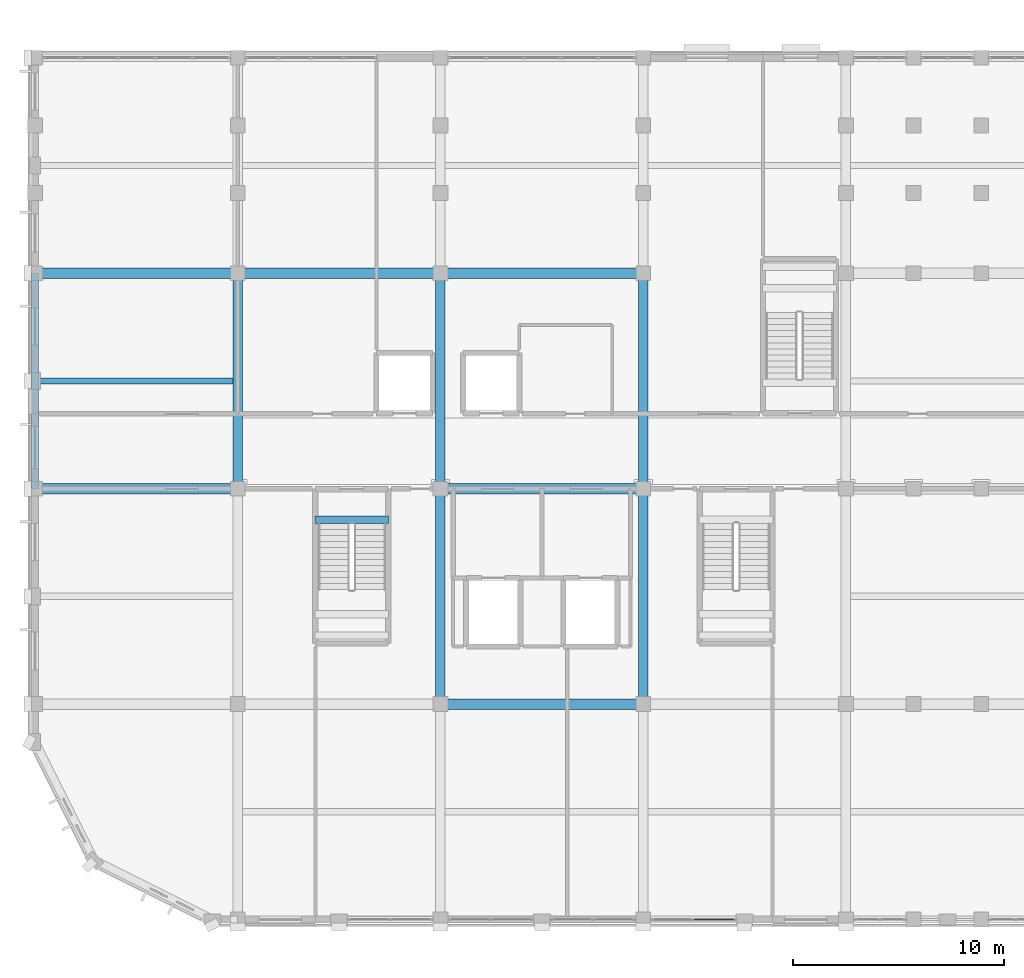
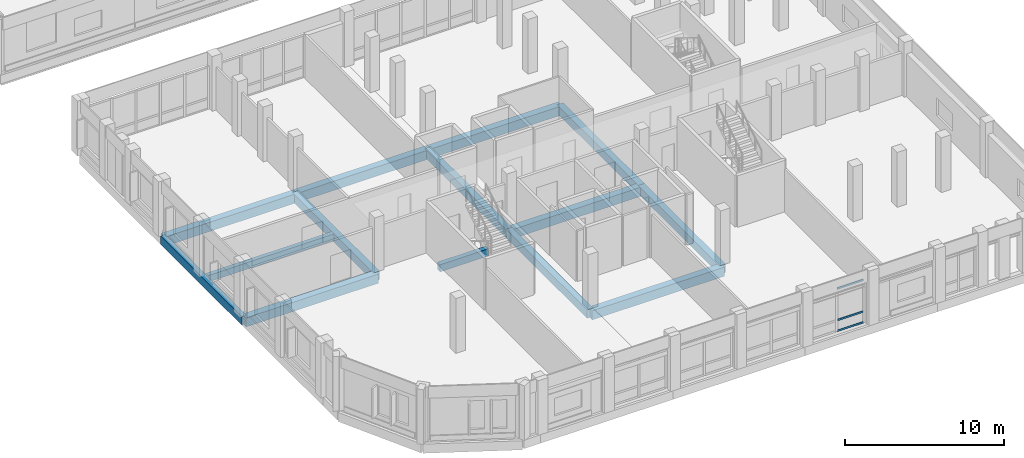
# One storey, part 24 of 185: 14 beams, 3 members, 1 element without a shape of its own.
"""IFC4 building model written with IfcOpenShell, lengths in metres."""

import ifcopenshell
import ifcopenshell.guid

model = None  # the IFC model being written
_history = None  # IfcOwnerHistory: only IFC2X3 demands one
_inside = {}  # id of a spatial element -> (the spatial element, [elements in it])
_under = {}  # id of a project, library or spatial element -> (it, [spatial elements below it])
_declared = {}  # id of a project -> (the project, [libraries it declares])
_typed = {}  # id of a type object -> (the type object, [elements of that type])
_made_of = {}  # id of a material, layer set ... -> (it, [elements and type objects made of it])


def new_model(schema):
    """Start an empty IFC model of exactly this schema.

    Asked for "IFC4X3", IfcOpenShell would pick the latest addendum, in which some entities
    have other attributes; the version numbers below select the first issue.
    IFC2X3 requires an IfcOwnerHistory on every rooted entity: one is made here for all.
    """
    global model, _history
    if schema == "IFC4X3":
        model = ifcopenshell.file(schema_version=(4, 3, 0, 0))
    else:
        model = ifcopenshell.file(schema=schema)
    _inside.clear()
    _under.clear()
    _declared.clear()
    _typed.clear()
    _made_of.clear()
    _history = None
    if model.schema == "IFC2X3":
        org = make("IfcOrganization", Name="unknown")
        user = make(
            "IfcPersonAndOrganization",
            ThePerson=make("IfcPerson", FamilyName="unknown"),
            TheOrganization=org,
        )
        app = make(
            "IfcApplication",
            ApplicationDeveloper=org,
            Version="unknown",
            ApplicationFullName="unknown",
            ApplicationIdentifier="unknown",
        )
        _history = make(
            "IfcOwnerHistory",
            OwningUser=user,
            OwningApplication=app,
            ChangeAction="ADDED",
            CreationDate=0,
        )
    return model


def make(cls, **values):
    """One entity of the class cls with the attributes given. An attribute that is None is left unset."""
    return model.create_entity(
        cls, **{name: value for name, value in values.items() if value is not None}
    )


def rooted(cls, **values):
    """An entity with a GlobalId (a new one), such as an element, a storey or a relation."""
    return make(cls, GlobalId=ifcopenshell.guid.new(), OwnerHistory=_history, **values)


def si_unit(unit_type, name, prefix=None):
    """IfcSIUnit, for example si_unit("LENGTHUNIT", "METRE", prefix="MILLI")."""
    return make("IfcSIUnit", UnitType=unit_type, Prefix=prefix, Name=name)


def assignment(units):
    """IfcUnitAssignment: the units of a project."""
    return None if units is None else make("IfcUnitAssignment", Units=units)


def point(xyz):
    """IfcCartesianPoint."""
    return None if xyz is None else make("IfcCartesianPoint", Coordinates=xyz)


def direction(xyz):
    """IfcDirection."""
    return None if xyz is None else make("IfcDirection", DirectionRatios=xyz)


def frame(location, z_axis=None, x_axis=None):
    """IfcAxis2Placement3D, a coordinate frame: its origin and axes. An axis left out is left unset."""
    return make(
        "IfcAxis2Placement3D",
        Location=point(location),
        Axis=direction(z_axis),
        RefDirection=direction(x_axis),
    )


def frame_2d(location, x_axis=None):
    """IfcAxis2Placement2D, a coordinate frame in the plane: its origin and x axis."""
    return make(
        "IfcAxis2Placement2D", Location=point(location), RefDirection=direction(x_axis)
    )


def origin():
    """The frame at (0, 0, 0) with its axes left unset."""
    return frame((0.0, 0.0, 0.0))


def origin_2d():
    """The frame at (0, 0) in the plane with its x axis left unset."""
    return frame_2d((0.0, 0.0))


def place(relative_to, where):
    """IfcLocalPlacement: puts the frame where relative to a parent placement (None: the world)."""
    return make(
        "IfcLocalPlacement", PlacementRelTo=relative_to, RelativePlacement=where
    )


def context(
    kind, dimensions, precision=None, world=None, true_north=None, identifier=None
):
    """IfcGeometricRepresentationContext, for example the 3D "Model" context."""
    return make(
        "IfcGeometricRepresentationContext",
        ContextIdentifier=identifier,
        ContextType=kind,
        CoordinateSpaceDimension=dimensions,
        Precision=precision,
        WorldCoordinateSystem=world,
        TrueNorth=true_north,
    )


def subcontext(parent, identifier, kind, view, scale=None):
    """IfcGeometricRepresentationSubContext, for example "Body" below "Model"."""
    return make(
        "IfcGeometricRepresentationSubContext",
        ContextIdentifier=identifier,
        ContextType=kind,
        ParentContext=parent,
        TargetScale=scale,
        TargetView=view,
    )


def project(units=None, contexts=None):
    """IfcProject with its units and contexts."""
    return rooted(
        "IfcProject",
        Name="project",
        RepresentationContexts=contexts,
        UnitsInContext=assignment(units),
    )


def spatial(cls, under=None, at=None, **own):
    """A site, building, storey or space (cls), placed at a placement, below another one or the project."""
    s = rooted(cls, ObjectPlacement=at, **own)
    if under is not None:
        _under.setdefault(under.id(), (under, []))[1].append(s)
    return s


def profile(cls, at=None, kind="AREA", **sizes):
    """A parametric profile (cls). Its sizes go by their IFC names, for example OverallWidth=200.0."""
    return make(cls, ProfileType=kind, Position=at, **sizes)


def rectangle(**sizes):
    """IfcRectangleProfileDef."""
    return profile("IfcRectangleProfileDef", **sizes)


def hollow_rectangle(**sizes):
    """IfcRectangleHollowProfileDef."""
    return profile("IfcRectangleHollowProfileDef", **sizes)


def extrude(swept, where, along, depth):
    """IfcExtrudedAreaSolid: the profile swept, set in the frame where, extruded along a direction by depth."""
    return make(
        "IfcExtrudedAreaSolid",
        SweptArea=swept,
        Position=where,
        ExtrudedDirection=direction(along),
        Depth=depth,
    )


def shape(context_of_items, identifier, shape_type, items):
    """IfcShapeRepresentation: the items that make up one representation, for example the "Body"."""
    return make(
        "IfcShapeRepresentation",
        ContextOfItems=context_of_items,
        RepresentationIdentifier=identifier,
        RepresentationType=shape_type,
        Items=items,
    )


def material(Name=None, Category=None):
    """IfcMaterial."""
    return make("IfcMaterial", Name=Name, Category=Category)


def material_profile(
    of_material, cross_section, Name=None, Category=None, Priority=None
):
    """IfcMaterialProfile: a cross section and its material."""
    return make(
        "IfcMaterialProfile",
        Name=Name,
        Material=of_material,
        Profile=cross_section,
        Priority=Priority,
        Category=Category,
    )


def profile_set(profiles, Name=None, composite=None):
    """IfcMaterialProfileSet."""
    return make(
        "IfcMaterialProfileSet",
        Name=Name,
        MaterialProfiles=profiles,
        CompositeProfile=composite,
    )


def made_of(thing, what):
    """Note that an element or type object is made of a material, layer set ...; save() writes the relation."""
    if what is not None:
        _made_of.setdefault(what.id(), (what, []))[1].append(thing)
    return thing


def type_object(cls, material=None, **own):
    """A type object (cls), such as IfcWallType, which elements share."""
    return made_of(rooted(cls, **own), material)


def element(
    cls,
    number,
    at=None,
    inside=None,
    cuts=None,
    type_object=None,
    material=None,
    context=None,
    identifier="Body",
    shape_type=None,
    held_by="IfcProductDefinitionShape",
    body=None,
    shapes=None,
    **own,
):
    """One element of the class cls, such as IfcWall. Its Tag is "e" and its number.

    at: its placement. inside: the storey or other place that contains it. cuts: it is an
    opening in that element (IfcRelVoidsElement). A single representation is given by context,
    identifier, shape_type and body (its items); several are given by shapes. held_by: the class
    of the entity that holds the representations. save() writes the other relations.
    """
    e = rooted(cls, Tag="e%d" % number, ObjectPlacement=at, **own)
    if body is not None:
        shapes = [shape(context, identifier, shape_type, body)]
    if shapes is not None:
        e.Representation = make(held_by, Representations=shapes)
    if inside is not None:
        _inside.setdefault(inside.id(), (inside, []))[1].append(e)
    if cuts is not None:
        rooted(
            "IfcRelVoidsElement", RelatingBuildingElement=cuts, RelatedOpeningElement=e
        )
    if type_object is not None:
        _typed.setdefault(type_object.id(), (type_object, []))[1].append(e)
    return made_of(e, material)


def aggregate(whole, parts):
    """IfcRelAggregates: a whole, such as a stair, and the parts it consists of."""
    return rooted("IfcRelAggregates", RelatingObject=whole, RelatedObjects=parts)


def save(model, path):
    """Write the relations noted so far, then the file.

    IfcRelAggregates (storeys below a building ...), IfcRelContainedInSpatialStructure (elements
    in a storey), IfcRelDefinesByType, IfcRelAssociatesMaterial and IfcRelDeclares: one each for
    every whole, place, type object, material and project.
    """
    for whole, parts in _under.values():
        aggregate(whole, parts)
    for where, things in _inside.values():
        rooted(
            "IfcRelContainedInSpatialStructure",
            RelatedElements=things,
            RelatingStructure=where,
        )
    for kind, things in _typed.values():
        rooted("IfcRelDefinesByType", RelatedObjects=things, RelatingType=kind)
    for what, things in _made_of.values():
        rooted("IfcRelAssociatesMaterial", RelatedObjects=things, RelatingMaterial=what)
    for by, libraries in _declared.values():
        rooted("IfcRelDeclares", RelatingContext=by, RelatedDefinitions=libraries)
    model.write(path)


model = new_model("IFC4")

# Units and contexts
model_context = context("Model", 3, precision=1e-05, world=origin(), true_north=direction((0.0, 1.0)))
body_context = subcontext(model_context, "Body", "Model", "MODEL_VIEW")
ifc_project = project(units=[si_unit("LENGTHUNIT", "METRE"), si_unit("AREAUNIT", "SQUARE_METRE"), si_unit("VOLUMEUNIT", "CUBIC_METRE"), si_unit("PLANEANGLEUNIT", "RADIAN"), si_unit("MASSUNIT", "GRAM", prefix="KILO")], contexts=[model_context])

# Site, building, storey
site_placement = place(None, origin())
site = spatial("IfcSite", under=ifc_project, at=site_placement, CompositionType="ELEMENT")
building_placement = place(site_placement, origin())
building = spatial("IfcBuilding", under=site, at=building_placement, Name="Vondelvale Polytechnic", CompositionType="ELEMENT")
storey_placement = place(building_placement, frame((0.0, 0.0, 9.60009765625)))
storey = spatial("IfcBuildingStorey", under=building, at=storey_placement, Name="L02", CompositionType="ELEMENT", Elevation=9.60009765625)

# Beams
ifc_material_1 = material(Name="Concrete N40 (f'c = 40 MPa)", Category="concrete")
ifc_material_profile_1 = material_profile(ifc_material_1, rectangle(XDim=0.35009765625, YDim=0.550048828125, at=origin_2d()), Name="RC-BM-350x550")
ifc_profile_set_1 = profile_set([ifc_material_profile_1], Name="Concrete N40 (f'c = 40 MPa)")
beam_type_1 = type_object("IfcBeamType", Name="BM-RC350x550", PredefinedType="BEAM", material=ifc_profile_set_1)
beam_1_placement = place(storey_placement, frame((13.25, 18.925048828125, -0.275146484375), z_axis=(1.0, 0.0, 0.0), x_axis=(0.0, 1.0, 0.0)))
element("IfcBeam", 1, at=beam_1_placement, inside=storey, type_object=beam_type_1, Name="L02 STHD B-06", PredefinedType="BEAM", context=body_context, shape_type="SweptSolid", body=[
    extrude(rectangle(XDim=0.35009765625, YDim=0.550048828125, at=origin_2d()), origin(), (0.0, 0.0, 1.0), 3.5),
])
ifc_material_profile_2 = material_profile(ifc_material_1, rectangle(XDim=0.449951171875, YDim=0.64990234375, at=origin_2d()), Name="RC-BM-450x650")
ifc_profile_set_2 = profile_set([ifc_material_profile_2], Name="Concrete N40 (f'c = 40 MPa)")
beam_type_2 = type_object("IfcBeamType", Name="BM-RC450x650", PredefinedType="BEAM", material=ifc_profile_set_2)
beam_2_placement = place(storey_placement, frame((9.60009765625, 20.39990234375, -0.60498046875), z_axis=(0.0, 1.0, 0.0), x_axis=(-1.0, 0.0, 0.0)))
element("IfcBeam", 2, at=beam_2_placement, inside=storey, type_object=beam_type_2, Name="L02 B B-04", PredefinedType="BEAM", context=body_context, shape_type="SweptSolid", body=[
    extrude(rectangle(XDim=0.449951171875, YDim=0.64990234375, at=origin_2d()), origin(), (0.0, 0.0, 1.0), 10.2001953125),
])
beam_3_placement = place(storey_placement, frame((19.199951171875, 10.199951171875, -0.60498046875), z_axis=(0.0, 1.0, 0.0), x_axis=(-1.0, 0.0, 0.0)))
element("IfcBeam", 3, at=beam_3_placement, inside=storey, type_object=beam_type_2, Name="L02 B B-04", PredefinedType="BEAM", context=body_context, shape_type="SweptSolid", body=[
    extrude(rectangle(XDim=0.449951171875, YDim=0.64990234375, at=origin_2d()), origin(), (0.0, 0.0, 1.0), 10.199951171875),
])
beam_4_placement = place(storey_placement, frame((19.199951171875, 20.39990234375, -0.60498046875), z_axis=(0.0, 1.0, 0.0), x_axis=(-1.0, 0.0, 0.0)))
element("IfcBeam", 4, at=beam_4_placement, inside=storey, type_object=beam_type_2, Name="L02 B B-04", PredefinedType="BEAM", context=body_context, shape_type="SweptSolid", body=[
    extrude(rectangle(XDim=0.449951171875, YDim=0.64990234375, at=origin_2d()), origin(), (0.0, 0.0, 1.0), 10.2001953125),
])
beam_5_placement = place(storey_placement, frame((28.800048828125, 10.199951171875, -0.60498046875), z_axis=(0.0, 1.0, 0.0), x_axis=(-1.0, 0.0, 0.0)))
element("IfcBeam", 5, at=beam_5_placement, inside=storey, type_object=beam_type_2, Name="L02 B B-04", PredefinedType="BEAM", context=body_context, shape_type="SweptSolid", body=[
    extrude(rectangle(XDim=0.449951171875, YDim=0.64990234375, at=origin_2d()), origin(), (0.0, 0.0, 1.0), 10.199951171875),
])
beam_6_placement = place(storey_placement, frame((28.800048828125, 20.39990234375, -0.60498046875), z_axis=(0.0, 1.0, 0.0), x_axis=(-1.0, 0.0, 0.0)))
element("IfcBeam", 6, at=beam_6_placement, inside=storey, type_object=beam_type_2, Name="L02 B B-04", PredefinedType="BEAM", context=body_context, shape_type="SweptSolid", body=[
    extrude(rectangle(XDim=0.449951171875, YDim=0.64990234375, at=origin_2d()), origin(), (0.0, 0.0, 1.0), 10.2001953125),
])
ifc_material_profile_3 = material_profile(ifc_material_1, rectangle(XDim=0.5, YDim=0.699951171875, at=origin_2d()), Name="RC-BM-500x700")
ifc_profile_set_3 = profile_set([ifc_material_profile_3], Name="Concrete N40 (f'c = 40 MPa)")
beam_type_3 = type_object("IfcBeamType", Name="BM-RC500x700", PredefinedType="BEAM", material=ifc_profile_set_3)
for number, where, z_axis, x_axis, name in (
    (7, (19.199951171875, 10.199951171875, -0.630126953125), (1.0, 0.0, 0.0), (0.0, 1.0, 0.0), "L02 B B-03"),
    (8, (0.0, 20.39990234375, -0.630126953125), (1.0, 0.0, 0.0), (0.0, 1.0, 0.0), "L02 B B-03"),
    (9, (19.199951171875, 20.39990234375, -0.630126953125), (1.0, 0.0, 0.0), (0.0, 1.0, 0.0), "L02 B B-03"),
    (10, (0.0, 30.60009765625, -0.630126953125), (1.0, 0.0, 0.0), (0.0, 1.0, 0.0), "L02 B B-03"),
):
    element("IfcBeam", number, at=place(storey_placement, frame(where, z_axis=z_axis, x_axis=x_axis)), inside=storey, type_object=beam_type_3, Name=name, PredefinedType="BEAM", context=body_context, shape_type="SweptSolid", body=[
        extrude(rectangle(XDim=0.5, YDim=0.699951171875, at=origin_2d()), origin(), (0.0, 0.0, 1.0), 9.60009765625),
    ])
beam_7_placement = place(storey_placement, frame((9.60009765625, 30.60009765625, -0.630126953125), z_axis=(1.0, 0.0, 0.0), x_axis=(0.0, 1.0, 0.0)))
element("IfcBeam", 11, at=beam_7_placement, inside=storey, type_object=beam_type_3, Name="L02 B B-03", PredefinedType="BEAM", context=body_context, shape_type="SweptSolid", body=[
    extrude(rectangle(XDim=0.5, YDim=0.699951171875, at=origin_2d()), origin(), (0.0, 0.0, 1.0), 9.599853515625),
])
beam_8_placement = place(storey_placement, frame((19.199951171875, 30.60009765625, -0.630126953125), z_axis=(1.0, 0.0, 0.0), x_axis=(0.0, 1.0, 0.0)))
element("IfcBeam", 12, at=beam_8_placement, inside=storey, type_object=beam_type_3, Name="L02 B B-03", PredefinedType="BEAM", context=body_context, shape_type="SweptSolid", body=[
    extrude(rectangle(XDim=0.5, YDim=0.699951171875, at=origin_2d()), origin(), (0.0, 0.0, 1.0), 9.60009765625),
])

# Curtain wall, members
ifc_material_2 = material(Name="Anodised extruded aluminium 6063-T6", Category="aluminium")
curtain_wall_type = type_object("IfcCurtainWallType", Name="CW-LIBRARY-BAY", PredefinedType="NOTDEFINED", material=ifc_material_2)
curtain_wall_placement = place(storey_placement, origin())
curtain_wall = element("IfcCurtainWall", 13, at=curtain_wall_placement, inside=storey, type_object=curtain_wall_type, Name="L02 architectural curtain wall CW-02-016", PredefinedType="NOTDEFINED")
ifc_material_profile_4 = material_profile(ifc_material_2, hollow_rectangle(XDim=0.06005859375, YDim=0.139892578125, WallThickness=0.00341796875, at=origin_2d()), Name="CW-TRN-140x60")
ifc_profile_set_4 = profile_set([ifc_material_profile_4], Name="Anodised extruded aluminium 6063-T6")
member_type = type_object("IfcMemberType", Name="CW-TRN-60x140", PredefinedType="USERDEFINED", material=ifc_profile_set_4)
member_1_placement = place(storey_placement, frame((31.20751953125, 0.0, 0.02978515625), z_axis=(1.0, 0.0, 0.0), x_axis=(0.0, 1.0, 0.0)))
member_1 = element("IfcMember", 14, at=member_1_placement, type_object=member_type, Name="CW-02-016 transom 2.1", ObjectType="TRANSOM", PredefinedType="USERDEFINED", context=body_context, shape_type="SweptSolid", body=[
    extrude(hollow_rectangle(XDim=0.06005859375, YDim=0.139892578125, WallThickness=0.00341796875, at=origin_2d()), origin(), (0.0, 0.0, 1.0), 1.8974609375),
])
member_2_placement = place(storey_placement, frame((31.20751953125, 0.0, 0.849853515625), z_axis=(1.0, 0.0, 0.0), x_axis=(0.0, 1.0, 0.0)))
member_2 = element("IfcMember", 15, at=member_2_placement, type_object=member_type, Name="CW-02-016 transom 2.2", ObjectType="TRANSOM", PredefinedType="USERDEFINED", context=body_context, shape_type="SweptSolid", body=[
    extrude(hollow_rectangle(XDim=0.06005859375, YDim=0.139892578125, WallThickness=0.00341796875, at=origin_2d()), origin(), (0.0, 0.0, 1.0), 1.8974609375),
])
member_3_placement = place(storey_placement, frame((31.20751953125, 0.0, 3.27001953125), z_axis=(1.0, 0.0, 0.0), x_axis=(0.0, 1.0, 0.0)))
member_3 = element("IfcMember", 16, at=member_3_placement, type_object=member_type, Name="CW-02-016 transom 2.3", ObjectType="TRANSOM", PredefinedType="USERDEFINED", context=body_context, shape_type="SweptSolid", body=[
    extrude(hollow_rectangle(XDim=0.06005859375, YDim=0.139892578125, WallThickness=0.00341796875, at=origin_2d()), origin(), (0.0, 0.0, 1.0), 1.8974609375),
])
aggregate(curtain_wall, [member_1, member_2, member_3])

# Beams
ifc_material_profile_5 = material_profile(ifc_material_1, rectangle(XDim=0.300048828125, YDim=0.5, at=origin_2d()), Name="RC-JST-300x500")
ifc_profile_set_5 = profile_set([ifc_material_profile_5], Name="Concrete N40 (f'c = 40 MPa)")
beam_type_4 = type_object("IfcBeamType", Name="JST-RC300x500", PredefinedType="JOIST", material=ifc_profile_set_5)
beam_9_placement = place(storey_placement, frame((0.175048828125, 25.5, -0.530029296875), z_axis=(1.0, 0.0, 0.0), x_axis=(0.0, 1.0, 0.0)))
element("IfcBeam", 17, at=beam_9_placement, inside=storey, type_object=beam_type_4, Name="L02 J J-02", PredefinedType="JOIST", context=body_context, shape_type="SweptSolid", body=[
    extrude(rectangle(XDim=0.300048828125, YDim=0.5, at=origin_2d()), origin(), (0.0, 0.0, 1.0), 9.199951171875),
])
ifc_material_3 = material(Name="Precast concrete N40 (f'c = 40 MPa)", Category="concrete")
ifc_material_profile_6 = material_profile(ifc_material_3, rectangle(XDim=0.35009765625, YDim=0.64990234375, at=origin_2d()), Name="RC-SPN-350x650")
ifc_profile_set_6 = profile_set([ifc_material_profile_6], Name="Precast concrete N40 (f'c = 40 MPa)")
beam_type_5 = type_object("IfcBeamType", Name="SPN-PRE350x650", PredefinedType="SPANDREL", material=ifc_profile_set_6)
beam_10_placement = place(storey_placement, frame((0.0, 20.39990234375, -0.60498046875), z_axis=(0.0, 1.0, 0.0), x_axis=(-1.0, 0.0, 0.0)))
element("IfcBeam", 18, at=beam_10_placement, inside=storey, type_object=beam_type_5, Name="L02 B SP-02", PredefinedType="SPANDREL", context=body_context, shape_type="SweptSolid", body=[
    extrude(rectangle(XDim=0.35009765625, YDim=0.64990234375, at=origin_2d()), origin(), (0.0, 0.0, 1.0), 10.2001953125),
])

save(model, "model.ifc")
